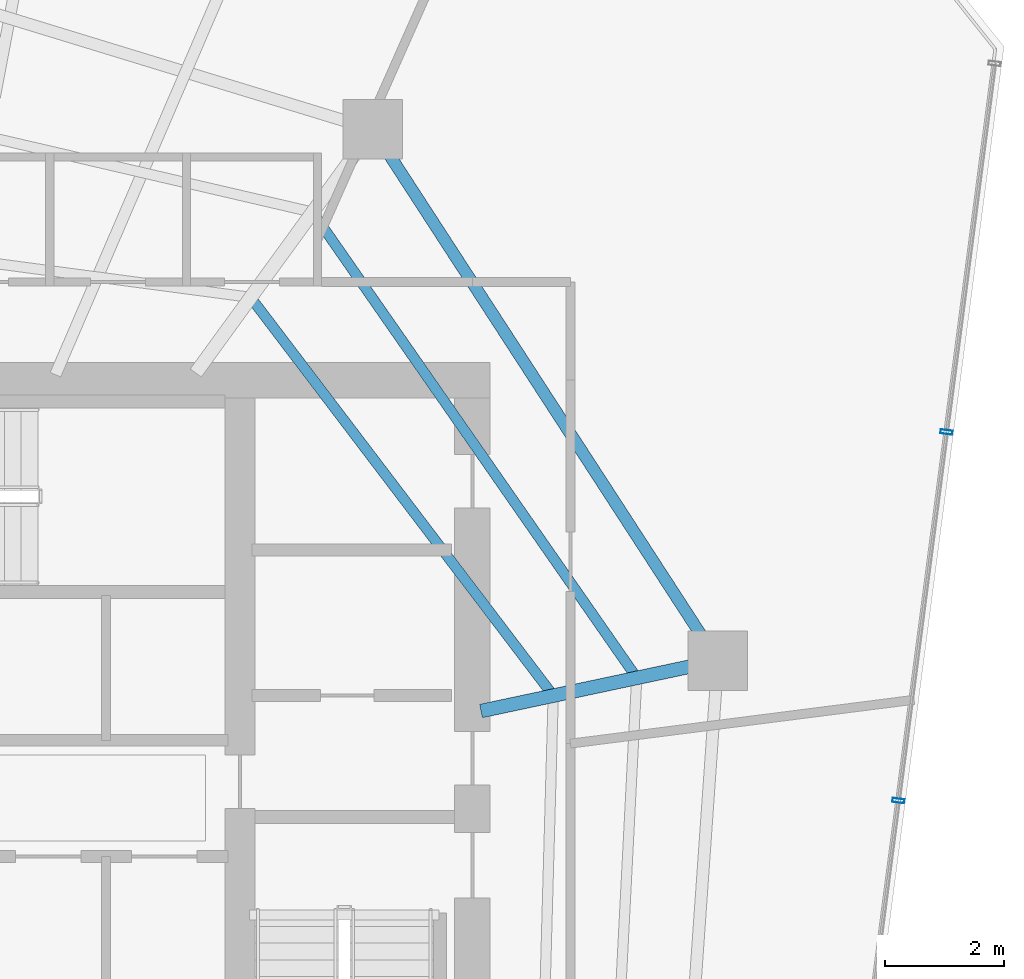
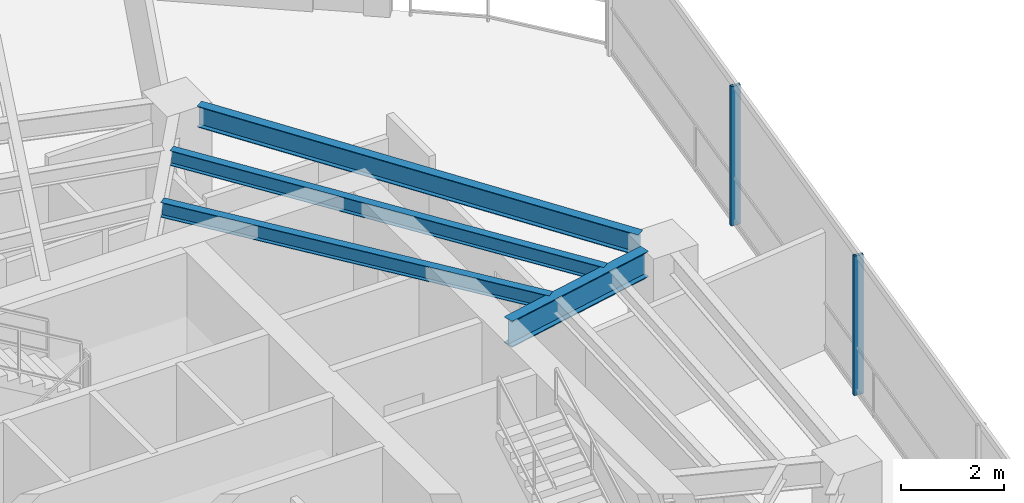
# One storey, part 10 of 20: 4 beams, 2 members, 1 element without a shape of its own.
"""IFC4 building model written with IfcOpenShell, lengths in metres."""

from ifc_helpers import new_model, si_unit, direction, frame, origin, origin_2d, place, context, subcontext, project, spatial, hollow_rectangle, i_section, extrude, material, layer, layer_set, material_profile, profile_set, type_object, element, aggregate, save


model = new_model("IFC4")

# Units and contexts
model_context = context("Model", 3, precision=1e-05, world=origin(), true_north=direction((0.0, 1.0)))
body_context = subcontext(model_context, "Body", "Model", "MODEL_VIEW")
ifc_project = project(units=[si_unit("LENGTHUNIT", "METRE"), si_unit("AREAUNIT", "SQUARE_METRE"), si_unit("VOLUMEUNIT", "CUBIC_METRE"), si_unit("PLANEANGLEUNIT", "RADIAN"), si_unit("MASSUNIT", "GRAM", prefix="KILO")], contexts=[model_context])

# Site, building, storey
site_placement = place(None, origin())
site = spatial("IfcSite", under=ifc_project, at=site_placement, CompositionType="ELEMENT")
building_placement = place(site_placement, origin())
building = spatial("IfcBuilding", under=site, at=building_placement, Name="Qarnah Convention Tower", CompositionType="ELEMENT")
storey_placement = place(building_placement, frame((0.0, 0.0, 150.89990234375)))
storey = spatial("IfcBuildingStorey", under=building, at=storey_placement, Name="L40", CompositionType="ELEMENT", Elevation=150.89990234375)

# Beams
ifc_material_1 = material(Name="Structural steel S355JR", Category="steel")
ifc_material_profile_1 = material_profile(ifc_material_1, i_section(OverallWidth=0.172119140625, OverallDepth=0.35595703125, WebThickness=0.007080078125, FlangeThickness=0.011962890625, at=origin_2d()), Name="W360X51")
ifc_profile_set_1 = profile_set([ifc_material_profile_1], Name="Structural steel S355JR")
beam_type_1 = type_object("IfcBeamType", Name="BM-JST-W360", PredefinedType="JOIST", material=ifc_profile_set_1)
beam_1_placement = place(storey_placement, frame((50.31298828125, 29.27197265625, 3.14208984375), z_axis=(-0.571244196533, 0.820780158098, 0.0), x_axis=(-0.820780158098, -0.571244196533, 0.0)))
element("IfcBeam", 1, at=beam_1_placement, inside=storey, type_object=beam_type_1, Name="L40 joist BM-L40-SJST-01", PredefinedType="JOIST", context=body_context, shape_type="SweptSolid", body=[
    extrude(i_section(OverallWidth=0.172119140625, OverallDepth=0.35595703125, WebThickness=0.007080078125, FlangeThickness=0.011962890625, at=origin_2d()), origin(), (0.0, 0.0, 1.0), 9.353271484375),
])
beam_2_placement = place(storey_placement, frame((48.906982421875, 28.970947265625, 3.14208984375), z_axis=(-0.605046386024, 0.796190222723, 0.0), x_axis=(-0.796190222723, -0.605046386024, 0.0)))
element("IfcBeam", 2, at=beam_2_placement, inside=storey, type_object=beam_type_1, Name="L40 joist BM-L40-IJST-01", PredefinedType="JOIST", context=body_context, shape_type="SweptSolid", body=[
    extrude(i_section(OverallWidth=0.172119140625, OverallDepth=0.35595703125, WebThickness=0.007080078125, FlangeThickness=0.011962890625, at=origin_2d()), origin(), (0.0, 0.0, 1.0), 8.224365234375),
])
ifc_material_profile_2 = material_profile(ifc_material_1, i_section(OverallWidth=0.22998046875, OverallDepth=0.617919921875, WebThickness=0.012939453125, FlangeThickness=0.02197265625, at=origin_2d()), Name="W610X140")
ifc_profile_set_2 = profile_set([ifc_material_profile_2], Name="Structural steel S355JR")
beam_type_2 = type_object("IfcBeamType", Name="BM-RAD-W610A", PredefinedType="BEAM", material=ifc_profile_set_2)
beam_3_placement = place(storey_placement, frame((47.7470703125, 28.64111328125, 3.010986328125), z_axis=(0.978133929389, 0.207975999045, 0.0), x_axis=(-0.207975999045, 0.978133929389, 0.0)))
element("IfcBeam", 3, at=beam_3_placement, inside=storey, type_object=beam_type_2, Name="L40 beam BM-L40-RAD-01", PredefinedType="BEAM", context=body_context, shape_type="SweptSolid", body=[
    extrude(i_section(OverallWidth=0.22998046875, OverallDepth=0.617919921875, WebThickness=0.012939453125, FlangeThickness=0.02197265625, at=origin_2d()), origin(), (0.0, 0.0, 1.0), 3.586181640625),
])
ifc_material_profile_3 = material_profile(ifc_material_1, i_section(OverallWidth=0.199951171875, OverallDepth=0.5, WebThickness=0.010009765625, FlangeThickness=0.01611328125, at=origin_2d()), Name="IPE500")
ifc_profile_set_3 = profile_set([ifc_material_profile_3], Name="Structural steel S355JR")
beam_type_3 = type_object("IfcBeamType", Name="BM-SPN-IPE500", PredefinedType="SPANDREL", material=ifc_profile_set_3)
beam_4_placement = place(storey_placement, frame((51.4580078125, 29.89794921875, 3.070068359375), z_axis=(-0.544531816504, 0.838740186717, 0.0), x_axis=(-0.838740186717, -0.544531816504, 0.0)))
element("IfcBeam", 4, at=beam_4_placement, inside=storey, type_object=beam_type_3, Name="L40 spandrel BM-L40-SPN-01", PredefinedType="SPANDREL", context=body_context, shape_type="SweptSolid", body=[
    extrude(i_section(OverallWidth=0.199951171875, OverallDepth=0.5, WebThickness=0.010009765625, FlangeThickness=0.01611328125, at=origin_2d()), origin(), (0.0, 0.0, 1.0), 9.663330078125),
])

# Curtain wall, members
ifc_material_2 = material(Name="Tempered Low-E dark glass", Category="glass")
ifc_layer = layer(ifc_material_2, 0.172119140625)
ifc_layer_set = layer_set([ifc_layer], Name="Tempered Low-E dark glass")
curtain_wall_type = type_object("IfcCurtainWallType", Name="CWS-03", PredefinedType="NOTDEFINED", material=ifc_layer_set)
curtain_wall_placement = place(storey_placement, origin())
curtain_wall = element("IfcCurtainWall", 5, at=curtain_wall_placement, inside=storey, type_object=curtain_wall_type, Name="L40 unitised curtain wall CW-L40-F2", PredefinedType="NOTDEFINED")
ifc_material_3 = material(Name="Black anodised aluminium", Category="aluminium")
ifc_material_profile_4 = material_profile(ifc_material_3, hollow_rectangle(XDim=0.070068359375, YDim=0.199951171875, WallThickness=0.0048828125, at=origin_2d()), Name="MUL-70X200")
ifc_profile_set_4 = profile_set([ifc_material_profile_4], Name="Black anodised aluminium")
member_type = type_object("IfcMemberType", Name="MUL-T3", PredefinedType="MULLION", material=ifc_profile_set_4)
member_1_placement = place(storey_placement, frame((55.5673828125, 33.328369140625, 0.0), z_axis=(0.0, 0.0, 1.0), x_axis=(-0.129476096574, -0.99158254342, 0.0)))
member_1 = element("IfcMember", 6, at=member_1_placement, type_object=member_type, Name="CW-L40-F2 mullion 2", PredefinedType="MULLION", context=body_context, shape_type="SweptSolid", body=[
    extrude(hollow_rectangle(XDim=0.070068359375, YDim=0.199951171875, WallThickness=0.0048828125, at=origin_2d()), origin(), (0.0, 0.0, 1.0), 3.320068359375),
])
member_2_placement = place(storey_placement, frame((54.7587890625, 27.1357421875, 0.0), z_axis=(0.0, 0.0, 1.0), x_axis=(-0.129476096574, -0.99158254342, 0.0)))
member_2 = element("IfcMember", 7, at=member_2_placement, type_object=member_type, Name="CW-L40-F2 mullion 3", PredefinedType="MULLION", context=body_context, shape_type="SweptSolid", body=[
    extrude(hollow_rectangle(XDim=0.070068359375, YDim=0.199951171875, WallThickness=0.0048828125, at=origin_2d()), origin(), (0.0, 0.0, 1.0), 3.320068359375),
])
aggregate(curtain_wall, [member_1, member_2])

save(model, "model.ifc")
